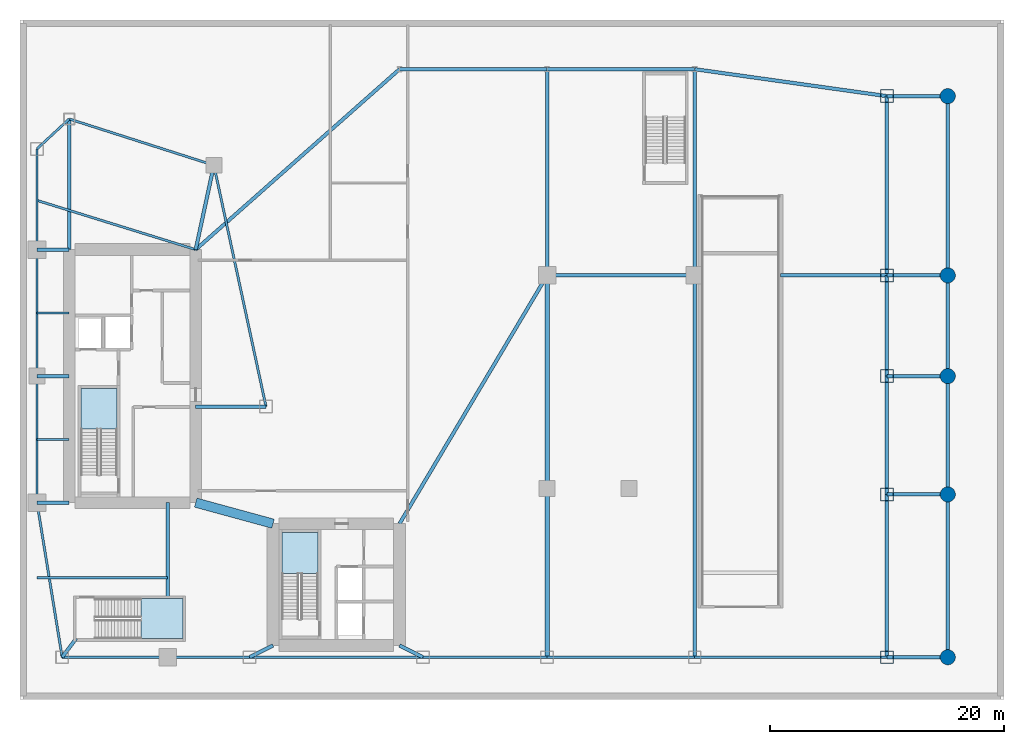
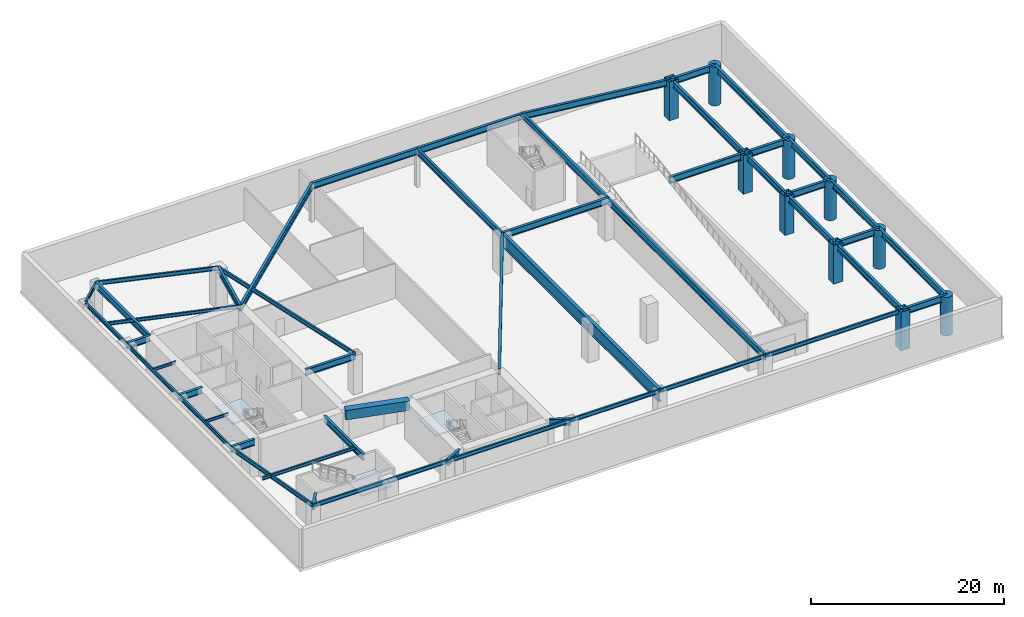
# One storey, part 3 of 13: 52 beams, 10 columns, 3 slabs, 3 elements without a shape of their own.
"""IFC4 building model written with IfcOpenShell, lengths in metres."""

import ifcopenshell
import ifcopenshell.guid

model = None  # the IFC model being written
_history = None  # IfcOwnerHistory: only IFC2X3 demands one
_inside = {}  # id of a spatial element -> (the spatial element, [elements in it])
_under = {}  # id of a project, library or spatial element -> (it, [spatial elements below it])
_declared = {}  # id of a project -> (the project, [libraries it declares])
_typed = {}  # id of a type object -> (the type object, [elements of that type])
_made_of = {}  # id of a material, layer set ... -> (it, [elements and type objects made of it])


def new_model(schema):
    """Start an empty IFC model of exactly this schema.

    Asked for "IFC4X3", IfcOpenShell would pick the latest addendum, in which some entities
    have other attributes; the version numbers below select the first issue.
    IFC2X3 requires an IfcOwnerHistory on every rooted entity: one is made here for all.
    """
    global model, _history
    if schema == "IFC4X3":
        model = ifcopenshell.file(schema_version=(4, 3, 0, 0))
    else:
        model = ifcopenshell.file(schema=schema)
    _inside.clear()
    _under.clear()
    _declared.clear()
    _typed.clear()
    _made_of.clear()
    _history = None
    if model.schema == "IFC2X3":
        org = make("IfcOrganization", Name="unknown")
        user = make(
            "IfcPersonAndOrganization",
            ThePerson=make("IfcPerson", FamilyName="unknown"),
            TheOrganization=org,
        )
        app = make(
            "IfcApplication",
            ApplicationDeveloper=org,
            Version="unknown",
            ApplicationFullName="unknown",
            ApplicationIdentifier="unknown",
        )
        _history = make(
            "IfcOwnerHistory",
            OwningUser=user,
            OwningApplication=app,
            ChangeAction="ADDED",
            CreationDate=0,
        )
    return model


def make(cls, **values):
    """One entity of the class cls with the attributes given. An attribute that is None is left unset."""
    return model.create_entity(
        cls, **{name: value for name, value in values.items() if value is not None}
    )


def rooted(cls, **values):
    """An entity with a GlobalId (a new one), such as an element, a storey or a relation."""
    return make(cls, GlobalId=ifcopenshell.guid.new(), OwnerHistory=_history, **values)


def si_unit(unit_type, name, prefix=None):
    """IfcSIUnit, for example si_unit("LENGTHUNIT", "METRE", prefix="MILLI")."""
    return make("IfcSIUnit", UnitType=unit_type, Prefix=prefix, Name=name)


def assignment(units):
    """IfcUnitAssignment: the units of a project."""
    return None if units is None else make("IfcUnitAssignment", Units=units)


def point(xyz):
    """IfcCartesianPoint."""
    return None if xyz is None else make("IfcCartesianPoint", Coordinates=xyz)


def direction(xyz):
    """IfcDirection."""
    return None if xyz is None else make("IfcDirection", DirectionRatios=xyz)


def frame(location, z_axis=None, x_axis=None):
    """IfcAxis2Placement3D, a coordinate frame: its origin and axes. An axis left out is left unset."""
    return make(
        "IfcAxis2Placement3D",
        Location=point(location),
        Axis=direction(z_axis),
        RefDirection=direction(x_axis),
    )


def frame_2d(location, x_axis=None):
    """IfcAxis2Placement2D, a coordinate frame in the plane: its origin and x axis."""
    return make(
        "IfcAxis2Placement2D", Location=point(location), RefDirection=direction(x_axis)
    )


def origin():
    """The frame at (0, 0, 0) with its axes left unset."""
    return frame((0.0, 0.0, 0.0))


def origin_2d():
    """The frame at (0, 0) in the plane with its x axis left unset."""
    return frame_2d((0.0, 0.0))


def place(relative_to, where):
    """IfcLocalPlacement: puts the frame where relative to a parent placement (None: the world)."""
    return make(
        "IfcLocalPlacement", PlacementRelTo=relative_to, RelativePlacement=where
    )


def context(
    kind, dimensions, precision=None, world=None, true_north=None, identifier=None
):
    """IfcGeometricRepresentationContext, for example the 3D "Model" context."""
    return make(
        "IfcGeometricRepresentationContext",
        ContextIdentifier=identifier,
        ContextType=kind,
        CoordinateSpaceDimension=dimensions,
        Precision=precision,
        WorldCoordinateSystem=world,
        TrueNorth=true_north,
    )


def subcontext(parent, identifier, kind, view, scale=None):
    """IfcGeometricRepresentationSubContext, for example "Body" below "Model"."""
    return make(
        "IfcGeometricRepresentationSubContext",
        ContextIdentifier=identifier,
        ContextType=kind,
        ParentContext=parent,
        TargetScale=scale,
        TargetView=view,
    )


def project(units=None, contexts=None):
    """IfcProject with its units and contexts."""
    return rooted(
        "IfcProject",
        Name="project",
        RepresentationContexts=contexts,
        UnitsInContext=assignment(units),
    )


def spatial(cls, under=None, at=None, **own):
    """A site, building, storey or space (cls), placed at a placement, below another one or the project."""
    s = rooted(cls, ObjectPlacement=at, **own)
    if under is not None:
        _under.setdefault(under.id(), (under, []))[1].append(s)
    return s


def polyline(points):
    """IfcPolyline through the points."""
    return make("IfcPolyline", Points=[point(p) for p in points])


def profile(cls, at=None, kind="AREA", **sizes):
    """A parametric profile (cls). Its sizes go by their IFC names, for example OverallWidth=200.0."""
    return make(cls, ProfileType=kind, Position=at, **sizes)


def rectangle(**sizes):
    """IfcRectangleProfileDef."""
    return profile("IfcRectangleProfileDef", **sizes)


def hollow_rectangle(**sizes):
    """IfcRectangleHollowProfileDef."""
    return profile("IfcRectangleHollowProfileDef", **sizes)


def circle(**sizes):
    """IfcCircleProfileDef."""
    return profile("IfcCircleProfileDef", **sizes)


def i_section(**sizes):
    """IfcIShapeProfileDef."""
    return profile("IfcIShapeProfileDef", **sizes)


def outline(outer, holes=None, kind="AREA"):
    """IfcArbitraryClosedProfileDef: a profile drawn as a closed curve; with holes, ...WithVoids."""
    if holes is None:
        return make("IfcArbitraryClosedProfileDef", ProfileType=kind, OuterCurve=outer)
    return make(
        "IfcArbitraryProfileDefWithVoids",
        ProfileType=kind,
        OuterCurve=outer,
        InnerCurves=holes,
    )


def extrude(swept, where, along, depth):
    """IfcExtrudedAreaSolid: the profile swept, set in the frame where, extruded along a direction by depth."""
    return make(
        "IfcExtrudedAreaSolid",
        SweptArea=swept,
        Position=where,
        ExtrudedDirection=direction(along),
        Depth=depth,
    )


def shape(context_of_items, identifier, shape_type, items):
    """IfcShapeRepresentation: the items that make up one representation, for example the "Body"."""
    return make(
        "IfcShapeRepresentation",
        ContextOfItems=context_of_items,
        RepresentationIdentifier=identifier,
        RepresentationType=shape_type,
        Items=items,
    )


def material(Name=None, Category=None):
    """IfcMaterial."""
    return make("IfcMaterial", Name=Name, Category=Category)


def layer(
    of_material, thickness, ventilated=None, Name=None, Category=None, Priority=None
):
    """IfcMaterialLayer: one layer of a wall or slab, of a material (None: an air gap)."""
    return make(
        "IfcMaterialLayer",
        Material=of_material,
        LayerThickness=thickness,
        IsVentilated=ventilated,
        Name=Name,
        Category=Category,
        Priority=Priority,
    )


def layer_set(layers, Name=None):
    """IfcMaterialLayerSet."""
    return make("IfcMaterialLayerSet", MaterialLayers=layers, LayerSetName=Name)


def material_profile(
    of_material, cross_section, Name=None, Category=None, Priority=None
):
    """IfcMaterialProfile: a cross section and its material."""
    return make(
        "IfcMaterialProfile",
        Name=Name,
        Material=of_material,
        Profile=cross_section,
        Priority=Priority,
        Category=Category,
    )


def profile_set(profiles, Name=None, composite=None):
    """IfcMaterialProfileSet."""
    return make(
        "IfcMaterialProfileSet",
        Name=Name,
        MaterialProfiles=profiles,
        CompositeProfile=composite,
    )


def made_of(thing, what):
    """Note that an element or type object is made of a material, layer set ...; save() writes the relation."""
    if what is not None:
        _made_of.setdefault(what.id(), (what, []))[1].append(thing)
    return thing


def type_object(cls, material=None, **own):
    """A type object (cls), such as IfcWallType, which elements share."""
    return made_of(rooted(cls, **own), material)


def element(
    cls,
    number,
    at=None,
    inside=None,
    cuts=None,
    type_object=None,
    material=None,
    context=None,
    identifier="Body",
    shape_type=None,
    held_by="IfcProductDefinitionShape",
    body=None,
    shapes=None,
    **own,
):
    """One element of the class cls, such as IfcWall. Its Tag is "e" and its number.

    at: its placement. inside: the storey or other place that contains it. cuts: it is an
    opening in that element (IfcRelVoidsElement). A single representation is given by context,
    identifier, shape_type and body (its items); several are given by shapes. held_by: the class
    of the entity that holds the representations. save() writes the other relations.
    """
    e = rooted(cls, Tag="e%d" % number, ObjectPlacement=at, **own)
    if body is not None:
        shapes = [shape(context, identifier, shape_type, body)]
    if shapes is not None:
        e.Representation = make(held_by, Representations=shapes)
    if inside is not None:
        _inside.setdefault(inside.id(), (inside, []))[1].append(e)
    if cuts is not None:
        rooted(
            "IfcRelVoidsElement", RelatingBuildingElement=cuts, RelatedOpeningElement=e
        )
    if type_object is not None:
        _typed.setdefault(type_object.id(), (type_object, []))[1].append(e)
    return made_of(e, material)


def aggregate(whole, parts):
    """IfcRelAggregates: a whole, such as a stair, and the parts it consists of."""
    return rooted("IfcRelAggregates", RelatingObject=whole, RelatedObjects=parts)


def save(model, path):
    """Write the relations noted so far, then the file.

    IfcRelAggregates (storeys below a building ...), IfcRelContainedInSpatialStructure (elements
    in a storey), IfcRelDefinesByType, IfcRelAssociatesMaterial and IfcRelDeclares: one each for
    every whole, place, type object, material and project.
    """
    for whole, parts in _under.values():
        aggregate(whole, parts)
    for where, things in _inside.values():
        rooted(
            "IfcRelContainedInSpatialStructure",
            RelatedElements=things,
            RelatingStructure=where,
        )
    for kind, things in _typed.values():
        rooted("IfcRelDefinesByType", RelatedObjects=things, RelatingType=kind)
    for what, things in _made_of.values():
        rooted("IfcRelAssociatesMaterial", RelatedObjects=things, RelatingMaterial=what)
    for by, libraries in _declared.values():
        rooted("IfcRelDeclares", RelatingContext=by, RelatedDefinitions=libraries)
    model.write(path)


model = new_model("IFC4")

# Units and contexts
model_context = context("Model", 3, precision=1e-05, world=origin(), true_north=direction((0.0, 1.0)))
body_context = subcontext(model_context, "Body", "Model", "MODEL_VIEW")
ifc_project = project(units=[si_unit("LENGTHUNIT", "METRE"), si_unit("AREAUNIT", "SQUARE_METRE"), si_unit("VOLUMEUNIT", "CUBIC_METRE"), si_unit("PLANEANGLEUNIT", "RADIAN"), si_unit("MASSUNIT", "GRAM", prefix="KILO")], contexts=[model_context])

# Site, building, storey
site_placement = place(None, origin())
site = spatial("IfcSite", under=ifc_project, at=site_placement, CompositionType="ELEMENT")
building_placement = place(site_placement, origin())
building = spatial("IfcBuilding", under=site, at=building_placement, Name="Calvorn Quay Hotel", CompositionType="ELEMENT")
storey_placement = place(building_placement, frame((0.0, 0.0, -5.199951171875)))
storey = spatial("IfcBuildingStorey", under=building, at=storey_placement, Name="B1", CompositionType="ELEMENT", Elevation=-5.199951171875)

# Columns
ifc_material_1 = material(Name="Concrete C60", Category="concrete")
ifc_material_profile_1 = material_profile(ifc_material_1, circle(Radius=0.64990234375, at=origin_2d()), Name="RCD1300")
ifc_profile_set_1 = profile_set([ifc_material_profile_1], Name="Concrete C60")
column_type_1 = type_object("IfcColumnType", Name="COL-RC-D1300", PredefinedType="COLUMN", material=ifc_profile_set_1)
for number, where, z_axis, x_axis, name in (
    (1, (79.199951171875, 3.60009765625, 0.0), (0.0, 0.0, 1.0), (1.0, 0.0, 0.0), "Column C-PQ1 (B1)"),
    (2, (79.199951171875, 17.5, 0.0), (0.0, 0.0, 1.0), (1.0, 0.0, 0.0), "Column C-PQ2 (B1)"),
    (3, (79.199951171875, 27.60009765625, 0.0), (0.0, 0.0, 1.0), (1.0, 0.0, 0.0), "Column C-PQ3 (B1)"),
    (4, (79.199951171875, 36.199951171875, 0.0), (0.0, 0.0, 1.0), (1.0, 0.0, 0.0), "Column C-PQ4 (B1)"),
    (5, (79.199951171875, 51.5, 0.0), (0.0, 0.0, 1.0), (1.0, 0.0, 0.0), "Column C-PQ5 (B1)"),
):
    element("IfcColumn", number, at=place(storey_placement, frame(where, z_axis=z_axis, x_axis=x_axis)), inside=storey, type_object=column_type_1, Name=name, PredefinedType="COLUMN", context=body_context, shape_type="SweptSolid", body=[
        extrude(circle(Radius=0.64990234375, at=origin_2d()), origin(), (0.0, 0.0, 1.0), 4.8798828125),
    ])
ifc_material_2 = material(Name="Steel Q420GJC", Category="steel")
ifc_material_profile_2 = material_profile(ifc_material_2, hollow_rectangle(XDim=1.10009765625, YDim=1.10009765625, WallThickness=0.044921875, at=origin_2d()), Name="BOX1100x1100x45")
ifc_profile_set_2 = profile_set([ifc_material_profile_2], Name="Steel Q420GJC")
column_type_2 = type_object("IfcColumnType", Name="COL-STL-MEGA1", PredefinedType="COLUMN", material=ifc_profile_set_2)
for number, where, z_axis, x_axis, name in (
    (6, (74.0, 3.60009765625, 0.0), (0.0, 0.0, 1.0), (1.0, 0.0, 0.0), "Column C-PE1 (B1)"),
    (7, (74.0, 17.5, 0.0), (0.0, 0.0, 1.0), (1.0, 0.0, 0.0), "Column C-PE2 (B1)"),
    (8, (74.0, 27.60009765625, 0.0), (0.0, 0.0, 1.0), (1.0, 0.0, 0.0), "Column C-PE3 (B1)"),
    (9, (74.0, 36.199951171875, 0.0), (0.0, 0.0, 1.0), (1.0, 0.0, 0.0), "Column C-PE4 (B1)"),
    (10, (74.0, 51.5, 0.0), (0.0, 0.0, 1.0), (1.0, 0.0, 0.0), "Column C-PE5 (B1)"),
):
    element("IfcColumn", number, at=place(storey_placement, frame(where, z_axis=z_axis, x_axis=x_axis)), inside=storey, type_object=column_type_2, Name=name, PredefinedType="COLUMN", context=body_context, shape_type="SweptSolid", body=[
        extrude(hollow_rectangle(XDim=1.10009765625, YDim=1.10009765625, WallThickness=0.044921875, at=origin_2d()), origin(), (0.0, 0.0, 1.0), 4.8798828125),
    ])

# Beams
ifc_material_3 = material(Name="Steel Q390GJC", Category="steel")
ifc_material_profile_3 = material_profile(ifc_material_3, i_section(OverallWidth=0.300048828125, OverallDepth=0.800048828125, WebThickness=0.013916015625, FlangeThickness=0.02587890625, FilletRadius=0.02392578125, at=origin_2d()), Name="HN800x300x14x26")
ifc_profile_set_3 = profile_set([ifc_material_profile_3], Name="Steel Q390GJC")
beam_type_1 = type_object("IfcBeamType", Name="BM-GIRD-POD", PredefinedType="BEAM", material=ifc_profile_set_3)
beam_1_placement = place(storey_placement, frame((3.60009765625, 3.60009765625, 4.47998046875), z_axis=(0.600019532502, 0.799985350251, 0.0), x_axis=(-0.799985350251, 0.600019532502, 0.0)))
element("IfcBeam", 11, at=beam_1_placement, inside=storey, type_object=beam_type_1, Name="Beam BG-B1-W0", PredefinedType="BEAM", context=body_context, shape_type="SweptSolid", body=[
    extrude(i_section(OverallWidth=0.300048828125, OverallDepth=0.800048828125, WebThickness=0.013916015625, FlangeThickness=0.02587890625, FilletRadius=0.02392578125, at=origin_2d()), origin(), (0.0, 0.0, 1.0), 1.999755859375),
])
for number, where, z_axis, x_axis, name in (
    (12, (1.449951171875, 16.800048828125, 4.47998046875), (1.0, 0.0, 0.0), (0.0, 1.0, 0.0), "Beam BG-B1-W1"),
    (13, (1.449951171875, 27.60009765625, 4.47998046875), (1.0, 0.0, 0.0), (0.0, 1.0, 0.0), "Beam BG-B1-W2"),
    (14, (1.449951171875, 38.39990234375, 4.47998046875), (1.0, 0.0, 0.0), (0.0, 1.0, 0.0), "Beam BG-B1-W3"),
):
    element("IfcBeam", number, at=place(storey_placement, frame(where, z_axis=z_axis, x_axis=x_axis)), inside=storey, type_object=beam_type_1, Name=name, PredefinedType="BEAM", context=body_context, shape_type="SweptSolid", body=[
        extrude(i_section(OverallWidth=0.300048828125, OverallDepth=0.800048828125, WebThickness=0.013916015625, FlangeThickness=0.02587890625, FilletRadius=0.02392578125, at=origin_2d()), origin(), (0.0, 0.0, 1.0), 2.75),
    ])
beam_2_placement = place(storey_placement, frame((4.199951171875, 49.550048828125, 4.47998046875), z_axis=(0.0, -1.0, 0.0), x_axis=(1.0, 0.0, 0.0)))
element("IfcBeam", 15, at=beam_2_placement, inside=storey, type_object=beam_type_1, Name="Beam BG-B1-W5", PredefinedType="BEAM", context=body_context, shape_type="SweptSolid", body=[
    extrude(i_section(OverallWidth=0.300048828125, OverallDepth=0.800048828125, WebThickness=0.013916015625, FlangeThickness=0.02587890625, FilletRadius=0.02392578125, at=origin_2d()), origin(), (0.0, 0.0, 1.0), 11.150146484375),
])
beam_3_placement = place(storey_placement, frame((16.550048828125, 45.60009765625, 4.47998046875), z_axis=(-0.210457140491, -0.97760308511, 0.0), x_axis=(0.97760308511, -0.210457140491, 0.0)))
element("IfcBeam", 16, at=beam_3_placement, inside=storey, type_object=beam_type_1, Name="Beam BG-B1-W6", PredefinedType="BEAM", context=body_context, shape_type="SweptSolid", body=[
    extrude(i_section(OverallWidth=0.300048828125, OverallDepth=0.800048828125, WebThickness=0.013916015625, FlangeThickness=0.02587890625, FilletRadius=0.02392578125, at=origin_2d()), origin(), (0.0, 0.0, 1.0), 7.365234375),
])
beam_4_placement = place(storey_placement, frame((21.0, 25.0, 4.47998046875), z_axis=(-1.0, 0.0, 0.0), x_axis=(0.0, -1.0, 0.0)))
element("IfcBeam", 17, at=beam_4_placement, inside=storey, type_object=beam_type_1, Name="Beam BG-B1-W7", PredefinedType="BEAM", context=body_context, shape_type="SweptSolid", body=[
    extrude(i_section(OverallWidth=0.300048828125, OverallDepth=0.800048828125, WebThickness=0.013916015625, FlangeThickness=0.02587890625, FilletRadius=0.02392578125, at=origin_2d()), origin(), (0.0, 0.0, 1.0), 6.0),
])
beam_5_placement = place(storey_placement, frame((12.60009765625, 8.719970703125, 4.47998046875), z_axis=(0.0, 1.0, 0.0), x_axis=(-1.0, 0.0, 0.0)))
element("IfcBeam", 18, at=beam_5_placement, inside=storey, type_object=beam_type_1, Name="Beam BG-B1-S1", PredefinedType="BEAM", context=body_context, shape_type="SweptSolid", body=[
    extrude(i_section(OverallWidth=0.300048828125, OverallDepth=0.800048828125, WebThickness=0.013916015625, FlangeThickness=0.02587890625, FilletRadius=0.02392578125, at=origin_2d()), origin(), (0.0, 0.0, 1.0), 8.080078125),
])
for number, where, z_axis, x_axis, name in (
    (19, (19.60009765625, 3.60009765625, 4.47998046875), (0.894427191, 0.4472135955, 0.0), (-0.4472135955, 0.894427191, 0.0), "Beam BG-B1-S2"),
    (20, (34.39990234375, 3.60009765625, 4.47998046875), (-0.894427191, 0.4472135955, 0.0), (-0.4472135955, -0.894427191, 0.0), "Beam BG-B1-S3"),
):
    element("IfcBeam", number, at=place(storey_placement, frame(where, z_axis=z_axis, x_axis=x_axis)), inside=storey, type_object=beam_type_1, Name=name, PredefinedType="BEAM", context=body_context, shape_type="SweptSolid", body=[
        extrude(i_section(OverallWidth=0.300048828125, OverallDepth=0.800048828125, WebThickness=0.013916015625, FlangeThickness=0.02587890625, FilletRadius=0.02392578125, at=origin_2d()), origin(), (0.0, 0.0, 1.0), 2.236083984375),
    ])
beam_6_placement = place(storey_placement, frame((57.60009765625, 3.60009765625, 4.47998046875), z_axis=(0.0, 1.0, 0.0), x_axis=(-1.0, 0.0, 0.0)))
element("IfcBeam", 21, at=beam_6_placement, inside=storey, type_object=beam_type_1, Name="Beam BG-B1-C-PN2", PredefinedType="BEAM", context=body_context, shape_type="SweptSolid", body=[
    extrude(i_section(OverallWidth=0.300048828125, OverallDepth=0.800048828125, WebThickness=0.013916015625, FlangeThickness=0.02587890625, FilletRadius=0.02392578125, at=origin_2d()), origin(), (0.0, 0.0, 1.0), 32.599853515625),
])
beam_7_placement = place(storey_placement, frame((74.0, 3.60009765625, 4.47998046875), z_axis=(0.0, 1.0, 0.0), x_axis=(-1.0, 0.0, 0.0)))
element("IfcBeam", 22, at=beam_7_placement, inside=storey, type_object=beam_type_1, Name="Beam BG-B1-PE1", PredefinedType="BEAM", context=body_context, shape_type="SweptSolid", body=[
    extrude(i_section(OverallWidth=0.300048828125, OverallDepth=0.800048828125, WebThickness=0.013916015625, FlangeThickness=0.02587890625, FilletRadius=0.02392578125, at=origin_2d()), origin(), (0.0, 0.0, 1.0), 13.89990234375),
])
beam_8_placement = place(storey_placement, frame((74.0, 17.5, 4.47998046875), z_axis=(0.0, 1.0, 0.0), x_axis=(-1.0, 0.0, 0.0)))
element("IfcBeam", 23, at=beam_8_placement, inside=storey, type_object=beam_type_1, Name="Beam BG-B1-PE2", PredefinedType="BEAM", context=body_context, shape_type="SweptSolid", body=[
    extrude(i_section(OverallWidth=0.300048828125, OverallDepth=0.800048828125, WebThickness=0.013916015625, FlangeThickness=0.02587890625, FilletRadius=0.02392578125, at=origin_2d()), origin(), (0.0, 0.0, 1.0), 10.10009765625),
])
beam_9_placement = place(storey_placement, frame((74.0, 27.60009765625, 4.47998046875), z_axis=(0.0, 1.0, 0.0), x_axis=(-1.0, 0.0, 0.0)))
element("IfcBeam", 24, at=beam_9_placement, inside=storey, type_object=beam_type_1, Name="Beam BG-B1-PE3", PredefinedType="BEAM", context=body_context, shape_type="SweptSolid", body=[
    extrude(i_section(OverallWidth=0.300048828125, OverallDepth=0.800048828125, WebThickness=0.013916015625, FlangeThickness=0.02587890625, FilletRadius=0.02392578125, at=origin_2d()), origin(), (0.0, 0.0, 1.0), 8.599853515625),
])
beam_10_placement = place(storey_placement, frame((74.0, 36.199951171875, 4.47998046875), z_axis=(0.0, 1.0, 0.0), x_axis=(-1.0, 0.0, 0.0)))
element("IfcBeam", 25, at=beam_10_placement, inside=storey, type_object=beam_type_1, Name="Beam BG-B1-PE4", PredefinedType="BEAM", context=body_context, shape_type="SweptSolid", body=[
    extrude(i_section(OverallWidth=0.300048828125, OverallDepth=0.800048828125, WebThickness=0.013916015625, FlangeThickness=0.02587890625, FilletRadius=0.02392578125, at=origin_2d()), origin(), (0.0, 0.0, 1.0), 15.300048828125),
])
beam_11_placement = place(storey_placement, frame((32.39990234375, 15.0, 4.47998046875), z_axis=(0.510917247409, 0.859629900771, 0.0), x_axis=(-0.859629900771, 0.510917247409, 0.0)))
element("IfcBeam", 26, at=beam_11_placement, inside=storey, type_object=beam_type_1, Name="Beam BG-B1-PN1", PredefinedType="BEAM", context=body_context, shape_type="SweptSolid", body=[
    extrude(i_section(OverallWidth=0.300048828125, OverallDepth=0.800048828125, WebThickness=0.013916015625, FlangeThickness=0.02587890625, FilletRadius=0.02392578125, at=origin_2d()), origin(), (0.0, 0.0, 1.0), 24.66162109375),
])
beam_12_placement = place(storey_placement, frame((45.0, 36.199951171875, 4.47998046875), z_axis=(1.0, 0.0, 0.0), x_axis=(0.0, 1.0, 0.0)))
element("IfcBeam", 27, at=beam_12_placement, inside=storey, type_object=beam_type_1, Name="Beam BG-B1-PN2", PredefinedType="BEAM", context=body_context, shape_type="SweptSolid", body=[
    extrude(i_section(OverallWidth=0.300048828125, OverallDepth=0.800048828125, WebThickness=0.013916015625, FlangeThickness=0.02587890625, FilletRadius=0.02392578125, at=origin_2d()), origin(), (0.0, 0.0, 1.0), 12.60009765625),
])
beam_13_placement = place(storey_placement, frame((64.919921875, 36.199951171875, 4.47998046875), z_axis=(1.0, 0.0, 0.0), x_axis=(0.0, 1.0, 0.0)))
element("IfcBeam", 28, at=beam_13_placement, inside=storey, type_object=beam_type_1, Name="Beam BG-B1-PN3", PredefinedType="BEAM", context=body_context, shape_type="SweptSolid", body=[
    extrude(i_section(OverallWidth=0.300048828125, OverallDepth=0.800048828125, WebThickness=0.013916015625, FlangeThickness=0.02587890625, FilletRadius=0.02392578125, at=origin_2d()), origin(), (0.0, 0.0, 1.0), 9.080078125),
])
beam_14_placement = place(storey_placement, frame((15.0, 38.39990234375, 4.47998046875), z_axis=(0.748827276571, 0.662765199647, 0.0), x_axis=(-0.662765199647, 0.748827276571, 0.0)))
element("IfcBeam", 29, at=beam_14_placement, inside=storey, type_object=beam_type_1, Name="Beam BG-B1-PN4", PredefinedType="BEAM", context=body_context, shape_type="SweptSolid", body=[
    extrude(i_section(OverallWidth=0.300048828125, OverallDepth=0.800048828125, WebThickness=0.013916015625, FlangeThickness=0.02587890625, FilletRadius=0.02392578125, at=origin_2d()), origin(), (0.0, 0.0, 1.0), 23.236083984375),
])
for number, where, z_axis, x_axis, name in (
    (30, (32.39990234375, 53.800048828125, 4.47998046875), (1.0, 0.0, 0.0), (0.0, 1.0, 0.0), "Beam BG-B1-PN5"),
    (31, (45.0, 53.800048828125, 4.47998046875), (1.0, 0.0, 0.0), (0.0, 1.0, 0.0), "Beam BG-B1-PN6"),
):
    element("IfcBeam", number, at=place(storey_placement, frame(where, z_axis=z_axis, x_axis=x_axis)), inside=storey, type_object=beam_type_1, Name=name, PredefinedType="BEAM", context=body_context, shape_type="SweptSolid", body=[
        extrude(i_section(OverallWidth=0.300048828125, OverallDepth=0.800048828125, WebThickness=0.013916015625, FlangeThickness=0.02587890625, FilletRadius=0.02392578125, at=origin_2d()), origin(), (0.0, 0.0, 1.0), 12.60009765625),
    ])
beam_15_placement = place(storey_placement, frame((57.60009765625, 53.800048828125, 4.47998046875), z_axis=(0.990308033684, -0.138888438761, 0.0), x_axis=(0.138888438761, 0.990308033684, 0.0)))
element("IfcBeam", 32, at=beam_15_placement, inside=storey, type_object=beam_type_1, Name="Beam BG-B1-PN7", PredefinedType="BEAM", context=body_context, shape_type="SweptSolid", body=[
    extrude(i_section(OverallWidth=0.300048828125, OverallDepth=0.800048828125, WebThickness=0.013916015625, FlangeThickness=0.02587890625, FilletRadius=0.02392578125, at=origin_2d()), origin(), (0.0, 0.0, 1.0), 16.560302734375),
])
for number, where, z_axis, x_axis, name in (
    (33, (45.0, 36.199951171875, 4.47998046875), (0.0, 1.0, 0.0), (-1.0, 0.0, 0.0), "Beam BG-B1-PN8"),
    (34, (57.60009765625, 36.199951171875, 4.47998046875), (0.0, 1.0, 0.0), (-1.0, 0.0, 0.0), "Beam BG-B1-PN9"),
):
    element("IfcBeam", number, at=place(storey_placement, frame(where, z_axis=z_axis, x_axis=x_axis)), inside=storey, type_object=beam_type_1, Name=name, PredefinedType="BEAM", context=body_context, shape_type="SweptSolid", body=[
        extrude(i_section(OverallWidth=0.300048828125, OverallDepth=0.800048828125, WebThickness=0.013916015625, FlangeThickness=0.02587890625, FilletRadius=0.02392578125, at=origin_2d()), origin(), (0.0, 0.0, 1.0), 17.60009765625),
    ])
beam_16_placement = place(storey_placement, frame((79.199951171875, 3.60009765625, 4.47998046875), z_axis=(0.0, 1.0, 0.0), x_axis=(-1.0, 0.0, 0.0)))
element("IfcBeam", 35, at=beam_16_placement, inside=storey, type_object=beam_type_1, Name="Beam BSP-B1-Q1", PredefinedType="BEAM", context=body_context, shape_type="SweptSolid", body=[
    extrude(i_section(OverallWidth=0.300048828125, OverallDepth=0.800048828125, WebThickness=0.013916015625, FlangeThickness=0.02587890625, FilletRadius=0.02392578125, at=origin_2d()), origin(), (0.0, 0.0, 1.0), 13.89990234375),
])
beam_17_placement = place(storey_placement, frame((79.199951171875, 17.5, 4.47998046875), z_axis=(0.0, 1.0, 0.0), x_axis=(-1.0, 0.0, 0.0)))
element("IfcBeam", 36, at=beam_17_placement, inside=storey, type_object=beam_type_1, Name="Beam BSP-B1-Q2", PredefinedType="BEAM", context=body_context, shape_type="SweptSolid", body=[
    extrude(i_section(OverallWidth=0.300048828125, OverallDepth=0.800048828125, WebThickness=0.013916015625, FlangeThickness=0.02587890625, FilletRadius=0.02392578125, at=origin_2d()), origin(), (0.0, 0.0, 1.0), 10.10009765625),
])
beam_18_placement = place(storey_placement, frame((79.199951171875, 27.60009765625, 4.47998046875), z_axis=(0.0, 1.0, 0.0), x_axis=(-1.0, 0.0, 0.0)))
element("IfcBeam", 37, at=beam_18_placement, inside=storey, type_object=beam_type_1, Name="Beam BSP-B1-Q3", PredefinedType="BEAM", context=body_context, shape_type="SweptSolid", body=[
    extrude(i_section(OverallWidth=0.300048828125, OverallDepth=0.800048828125, WebThickness=0.013916015625, FlangeThickness=0.02587890625, FilletRadius=0.02392578125, at=origin_2d()), origin(), (0.0, 0.0, 1.0), 8.599853515625),
])
beam_19_placement = place(storey_placement, frame((79.199951171875, 36.199951171875, 4.47998046875), z_axis=(0.0, 1.0, 0.0), x_axis=(-1.0, 0.0, 0.0)))
element("IfcBeam", 38, at=beam_19_placement, inside=storey, type_object=beam_type_1, Name="Beam BSP-B1-Q4", PredefinedType="BEAM", context=body_context, shape_type="SweptSolid", body=[
    extrude(i_section(OverallWidth=0.300048828125, OverallDepth=0.800048828125, WebThickness=0.013916015625, FlangeThickness=0.02587890625, FilletRadius=0.02392578125, at=origin_2d()), origin(), (0.0, 0.0, 1.0), 15.300048828125),
])
for number, where, z_axis, x_axis, name in (
    (39, (74.0, 3.60009765625, 4.47998046875), (1.0, 0.0, 0.0), (0.0, 1.0, 0.0), "Beam BG-B1-EQ1"),
    (40, (74.0, 17.5, 4.47998046875), (1.0, 0.0, 0.0), (0.0, 1.0, 0.0), "Beam BG-B1-EQ2"),
    (41, (74.0, 27.60009765625, 4.47998046875), (1.0, 0.0, 0.0), (0.0, 1.0, 0.0), "Beam BG-B1-EQ3"),
    (42, (74.0, 36.199951171875, 4.47998046875), (1.0, 0.0, 0.0), (0.0, 1.0, 0.0), "Beam BG-B1-EQ4"),
    (43, (74.0, 51.5, 4.47998046875), (1.0, 0.0, 0.0), (0.0, 1.0, 0.0), "Beam BG-B1-EQ5"),
):
    element("IfcBeam", number, at=place(storey_placement, frame(where, z_axis=z_axis, x_axis=x_axis)), inside=storey, type_object=beam_type_1, Name=name, PredefinedType="BEAM", context=body_context, shape_type="SweptSolid", body=[
        extrude(i_section(OverallWidth=0.300048828125, OverallDepth=0.800048828125, WebThickness=0.013916015625, FlangeThickness=0.02587890625, FilletRadius=0.02392578125, at=origin_2d()), origin(), (0.0, 0.0, 1.0), 5.199951171875),
    ])
ifc_material_4 = material(Name="Steel Q355B", Category="steel")
ifc_material_profile_4 = material_profile(ifc_material_4, i_section(OverallWidth=0.175048828125, OverallDepth=0.35009765625, WebThickness=0.007080078125, FlangeThickness=0.010986328125, FilletRadius=0.013916015625, at=origin_2d()), Name="HN350x175x7x11")
ifc_profile_set_4 = profile_set([ifc_material_profile_4], Name="Steel Q355B")
beam_type_2 = type_object("IfcBeamType", Name="BM-JOIST-SEC", PredefinedType="JOIST", material=ifc_profile_set_4)
for number, where, z_axis, x_axis, name in (
    (44, (1.449951171875, 22.199951171875, 4.704833984375), (1.0, 0.0, 0.0), (0.0, 1.0, 0.0), "Beam BJ-B1-W3"),
    (45, (1.449951171875, 33.0, 4.704833984375), (1.0, 0.0, 0.0), (0.0, 1.0, 0.0), "Beam BJ-B1-W4"),
):
    element("IfcBeam", number, at=place(storey_placement, frame(where, z_axis=z_axis, x_axis=x_axis)), inside=storey, type_object=beam_type_2, Name=name, PredefinedType="JOIST", context=body_context, shape_type="SweptSolid", body=[
        extrude(i_section(OverallWidth=0.175048828125, OverallDepth=0.35009765625, WebThickness=0.007080078125, FlangeThickness=0.010986328125, FilletRadius=0.013916015625, at=origin_2d()), origin(), (0.0, 0.0, 1.0), 2.75),
    ])
ifc_material_5 = material(Name="Steel Q355B", Category="steel")
ifc_material_profile_5 = material_profile(ifc_material_5, i_section(OverallWidth=0.199951171875, OverallDepth=0.39990234375, WebThickness=0.008056640625, FlangeThickness=0.012939453125, FilletRadius=0.01611328125, at=origin_2d()), Name="HN400x200x8x13")
ifc_profile_set_5 = profile_set([ifc_material_profile_5], Name="Steel Q355B")
beam_type_3 = type_object("IfcBeamType", Name="BM-JOIST-TYP", PredefinedType="JOIST", material=ifc_profile_set_5)
beam_20_placement = place(storey_placement, frame((1.449951171875, 10.39990234375, 4.679931640625), z_axis=(1.0, 0.0, 0.0), x_axis=(0.0, 1.0, 0.0)))
element("IfcBeam", 46, at=beam_20_placement, inside=storey, type_object=beam_type_3, Name="Beam BJ-B1-W1", PredefinedType="JOIST", context=body_context, shape_type="SweptSolid", body=[
    extrude(i_section(OverallWidth=0.199951171875, OverallDepth=0.39990234375, WebThickness=0.008056640625, FlangeThickness=0.012939453125, FilletRadius=0.01611328125, at=origin_2d()), origin(), (0.0, 0.0, 1.0), 11.150146484375),
])
beam_21_placement = place(storey_placement, frame((1.449951171875, 42.60009765625, 4.679931640625), z_axis=(0.955163702122, -0.296078202759, 0.0), x_axis=(0.296078202759, 0.955163702122, 0.0)))
element("IfcBeam", 47, at=beam_21_placement, inside=storey, type_object=beam_type_3, Name="Beam BJ-B1-W2", PredefinedType="JOIST", context=body_context, shape_type="SweptSolid", body=[
    extrude(i_section(OverallWidth=0.199951171875, OverallDepth=0.39990234375, WebThickness=0.008056640625, FlangeThickness=0.012939453125, FilletRadius=0.01611328125, at=origin_2d()), origin(), (0.0, 0.0, 1.0), 14.18603515625),
])
ifc_material_6 = material(Name="Steel Q390GJC", Category="steel")
ifc_material_profile_6 = material_profile(ifc_material_6, i_section(OverallWidth=0.39990234375, OverallDepth=1.60009765625, WebThickness=0.02392578125, FlangeThickness=0.0400390625, at=origin_2d()), Name="HN1600x400x24x40")
ifc_profile_set_6 = profile_set([ifc_material_profile_6], Name="Steel Q390GJC")
beam_type_4 = type_object("IfcBeamType", Name="BM-POD-LONG-1600", PredefinedType="BEAM", material=ifc_profile_set_6)
beam_22_placement = place(storey_placement, frame((45.0, 3.60009765625, 4.079833984375), z_axis=(0.0, 1.0, 0.0), x_axis=(-1.0, 0.0, 0.0)))
element("IfcBeam", 48, at=beam_22_placement, inside=storey, type_object=beam_type_4, Name="Beam BG-B1-C-PN1", PredefinedType="BEAM", context=body_context, shape_type="SweptSolid", body=[
    extrude(i_section(OverallWidth=0.39990234375, OverallDepth=1.60009765625, WebThickness=0.02392578125, FlangeThickness=0.0400390625, at=origin_2d()), origin(), (0.0, 0.0, 1.0), 32.599853515625),
])
ifc_material_7 = material(Name="Concrete C60", Category="concrete")
ifc_material_profile_7 = material_profile(ifc_material_7, rectangle(XDim=0.800048828125, YDim=1.199951171875, at=origin_2d()), Name="RCB800x1200")
ifc_profile_set_7 = profile_set([ifc_material_profile_7], Name="Concrete C60")
beam_type_5 = type_object("IfcBeamType", Name="BM-RC-LINK-800x1200", PredefinedType="BEAM", material=ifc_profile_set_7)
beam_23_placement = place(storey_placement, frame((15.0, 16.800048828125, 4.280029296875), z_axis=(0.964762997686, -0.263120425462, 0.0), x_axis=(0.263120425462, 0.964762997686, 0.0)))
element("IfcBeam", 49, at=beam_23_placement, inside=storey, type_object=beam_type_5, Name="Beam BCL-B1-01", PredefinedType="BEAM", context=body_context, shape_type="SweptSolid", body=[
    extrude(rectangle(XDim=0.800048828125, YDim=1.199951171875, at=origin_2d()), origin(), (0.0, 0.0, 1.0), 6.841064453125),
])
ifc_material_8 = material(Name="Steel Q355B", Category="steel")
ifc_material_profile_8 = material_profile(ifc_material_8, i_section(OverallWidth=0.199951171875, OverallDepth=0.5, WebThickness=0.010009765625, FlangeThickness=0.01611328125, FilletRadius=0.01611328125, at=origin_2d()), Name="HN500x200x10x16")
ifc_profile_set_8 = profile_set([ifc_material_profile_8], Name="Steel Q355B")
beam_type_6 = type_object("IfcBeamType", Name="BM-SPANDREL-Z1", PredefinedType="SPANDREL", material=ifc_profile_set_8)
beam_24_placement = place(storey_placement, frame((3.60009765625, 3.60009765625, 4.6298828125), z_axis=(-0.16077155054, 0.986991645627, 0.0), x_axis=(-0.986991645627, -0.16077155054, 0.0)))
element("IfcBeam", 50, at=beam_24_placement, inside=storey, type_object=beam_type_6, Name="Beam BSP-B1-W1", PredefinedType="SPANDREL", context=body_context, shape_type="SweptSolid", body=[
    extrude(i_section(OverallWidth=0.199951171875, OverallDepth=0.5, WebThickness=0.010009765625, FlangeThickness=0.01611328125, FilletRadius=0.01611328125, at=origin_2d()), origin(), (0.0, 0.0, 1.0), 13.3740234375),
])
beam_25_placement = place(storey_placement, frame((1.449951171875, 16.800048828125, 4.6298828125), z_axis=(0.0, 1.0, 0.0), x_axis=(-1.0, 0.0, 0.0)))
element("IfcBeam", 51, at=beam_25_placement, inside=storey, type_object=beam_type_6, Name="Beam BSP-B1-W2", PredefinedType="SPANDREL", context=body_context, shape_type="SweptSolid", body=[
    extrude(i_section(OverallWidth=0.199951171875, OverallDepth=0.5, WebThickness=0.010009765625, FlangeThickness=0.01611328125, FilletRadius=0.01611328125, at=origin_2d()), origin(), (0.0, 0.0, 1.0), 10.800048828125),
])
beam_26_placement = place(storey_placement, frame((1.449951171875, 27.60009765625, 4.6298828125), z_axis=(0.0, 1.0, 0.0), x_axis=(-1.0, 0.0, 0.0)))
element("IfcBeam", 52, at=beam_26_placement, inside=storey, type_object=beam_type_6, Name="Beam BSP-B1-W3", PredefinedType="SPANDREL", context=body_context, shape_type="SweptSolid", body=[
    extrude(i_section(OverallWidth=0.199951171875, OverallDepth=0.5, WebThickness=0.010009765625, FlangeThickness=0.01611328125, FilletRadius=0.01611328125, at=origin_2d()), origin(), (0.0, 0.0, 1.0), 10.7998046875),
])
beam_27_placement = place(storey_placement, frame((1.449951171875, 38.39990234375, 4.6298828125), z_axis=(0.0, 1.0, 0.0), x_axis=(-1.0, 0.0, 0.0)))
element("IfcBeam", 53, at=beam_27_placement, inside=storey, type_object=beam_type_6, Name="Beam BSP-B1-W4", PredefinedType="SPANDREL", context=body_context, shape_type="SweptSolid", body=[
    extrude(i_section(OverallWidth=0.199951171875, OverallDepth=0.5, WebThickness=0.010009765625, FlangeThickness=0.01611328125, FilletRadius=0.01611328125, at=origin_2d()), origin(), (0.0, 0.0, 1.0), 8.60009765625),
])
beam_28_placement = place(storey_placement, frame((1.449951171875, 47.0, 4.6298828125), z_axis=(0.733261665538, 0.679946563969, 0.0), x_axis=(-0.679946563969, 0.733261665538, 0.0)))
element("IfcBeam", 54, at=beam_28_placement, inside=storey, type_object=beam_type_6, Name="Beam BSP-B1-W5", PredefinedType="SPANDREL", context=body_context, shape_type="SweptSolid", body=[
    extrude(i_section(OverallWidth=0.199951171875, OverallDepth=0.5, WebThickness=0.010009765625, FlangeThickness=0.01611328125, FilletRadius=0.01611328125, at=origin_2d()), origin(), (0.0, 0.0, 1.0), 3.75048828125),
])
beam_29_placement = place(storey_placement, frame((4.199951171875, 49.550048828125, 4.6298828125), z_axis=(0.952470702374, -0.304630203885, 0.0), x_axis=(0.304630203885, 0.952470702374, 0.0)))
element("IfcBeam", 55, at=beam_29_placement, inside=storey, type_object=beam_type_6, Name="Beam BSP-B1-W6", PredefinedType="SPANDREL", context=body_context, shape_type="SweptSolid", body=[
    extrude(i_section(OverallWidth=0.199951171875, OverallDepth=0.5, WebThickness=0.010009765625, FlangeThickness=0.01611328125, FilletRadius=0.01611328125, at=origin_2d()), origin(), (0.0, 0.0, 1.0), 12.96630859375),
])
beam_30_placement = place(storey_placement, frame((16.550048828125, 45.60009765625, 4.6298828125), z_axis=(0.211145848376, -0.977454567084, 0.0), x_axis=(0.977454567084, 0.211145848376, 0.0)))
element("IfcBeam", 56, at=beam_30_placement, inside=storey, type_object=beam_type_6, Name="Beam BSP-B1-W7", PredefinedType="SPANDREL", context=body_context, shape_type="SweptSolid", body=[
    extrude(i_section(OverallWidth=0.199951171875, OverallDepth=0.5, WebThickness=0.010009765625, FlangeThickness=0.01611328125, FilletRadius=0.01611328125, at=origin_2d()), origin(), (0.0, 0.0, 1.0), 21.0751953125),
])
beam_31_placement = place(storey_placement, frame((3.60009765625, 3.60009765625, 4.6298828125), z_axis=(1.0, 0.0, 0.0), x_axis=(0.0, 1.0, 0.0)))
element("IfcBeam", 57, at=beam_31_placement, inside=storey, type_object=beam_type_6, Name="Beam BSP-B1-S1", PredefinedType="SPANDREL", context=body_context, shape_type="SweptSolid", body=[
    extrude(i_section(OverallWidth=0.199951171875, OverallDepth=0.5, WebThickness=0.010009765625, FlangeThickness=0.01611328125, FilletRadius=0.01611328125, at=origin_2d()), origin(), (0.0, 0.0, 1.0), 9.0),
])
beam_32_placement = place(storey_placement, frame((12.60009765625, 3.60009765625, 4.6298828125), z_axis=(1.0, 0.0, 0.0), x_axis=(0.0, 1.0, 0.0)))
element("IfcBeam", 58, at=beam_32_placement, inside=storey, type_object=beam_type_6, Name="Beam BSP-B1-S2", PredefinedType="SPANDREL", context=body_context, shape_type="SweptSolid", body=[
    extrude(i_section(OverallWidth=0.199951171875, OverallDepth=0.5, WebThickness=0.010009765625, FlangeThickness=0.01611328125, FilletRadius=0.01611328125, at=origin_2d()), origin(), (0.0, 0.0, 1.0), 7.0),
])
beam_33_placement = place(storey_placement, frame((19.60009765625, 3.60009765625, 4.6298828125), z_axis=(1.0, 0.0, 0.0), x_axis=(0.0, 1.0, 0.0)))
element("IfcBeam", 59, at=beam_33_placement, inside=storey, type_object=beam_type_6, Name="Beam BSP-B1-S3", PredefinedType="SPANDREL", context=body_context, shape_type="SweptSolid", body=[
    extrude(i_section(OverallWidth=0.199951171875, OverallDepth=0.5, WebThickness=0.010009765625, FlangeThickness=0.01611328125, FilletRadius=0.01611328125, at=origin_2d()), origin(), (0.0, 0.0, 1.0), 14.7998046875),
])
beam_34_placement = place(storey_placement, frame((34.39990234375, 3.60009765625, 4.6298828125), z_axis=(1.0, 0.0, 0.0), x_axis=(0.0, 1.0, 0.0)))
element("IfcBeam", 60, at=beam_34_placement, inside=storey, type_object=beam_type_6, Name="Beam BSP-B1-S4", PredefinedType="SPANDREL", context=body_context, shape_type="SweptSolid", body=[
    extrude(i_section(OverallWidth=0.199951171875, OverallDepth=0.5, WebThickness=0.010009765625, FlangeThickness=0.01611328125, FilletRadius=0.01611328125, at=origin_2d()), origin(), (0.0, 0.0, 1.0), 10.60009765625),
])
beam_35_placement = place(storey_placement, frame((45.0, 3.60009765625, 4.6298828125), z_axis=(1.0, 0.0, 0.0), x_axis=(0.0, 1.0, 0.0)))
element("IfcBeam", 61, at=beam_35_placement, inside=storey, type_object=beam_type_6, Name="Beam BSP-B1-S5", PredefinedType="SPANDREL", context=body_context, shape_type="SweptSolid", body=[
    extrude(i_section(OverallWidth=0.199951171875, OverallDepth=0.5, WebThickness=0.010009765625, FlangeThickness=0.01611328125, FilletRadius=0.01611328125, at=origin_2d()), origin(), (0.0, 0.0, 1.0), 12.60009765625),
])
beam_36_placement = place(storey_placement, frame((57.60009765625, 3.60009765625, 4.6298828125), z_axis=(1.0, 0.0, 0.0), x_axis=(0.0, 1.0, 0.0)))
element("IfcBeam", 62, at=beam_36_placement, inside=storey, type_object=beam_type_6, Name="Beam BSP-B1-S6", PredefinedType="SPANDREL", context=body_context, shape_type="SweptSolid", body=[
    extrude(i_section(OverallWidth=0.199951171875, OverallDepth=0.5, WebThickness=0.010009765625, FlangeThickness=0.01611328125, FilletRadius=0.01611328125, at=origin_2d()), origin(), (0.0, 0.0, 1.0), 16.39990234375),
])

# Stair, slab
ifc_material_9 = material(Name="Concrete C40", Category="concrete")
stair_type_1 = type_object("IfcStairType", Name="STR-CORE-DOGLEG", PredefinedType="HALF_TURN_STAIR", material=ifc_material_9)
stair_1_placement = place(storey_placement, origin())
stair_1 = element("IfcStair", 63, at=stair_1_placement, inside=storey, type_object=stair_type_1, Name="B1 ST-W", PredefinedType="HALF_TURN_STAIR")
ifc_material_10 = material(Name="Concrete C40", Category="concrete")
ifc_layer = layer(ifc_material_10, 0.199951171875)
ifc_layer_set = layer_set([ifc_layer], Name="SLB-STAIR-LANDING-200")
slab_type = type_object("IfcSlabType", Name="SLB-STAIR-LANDING-200", PredefinedType="LANDING", material=ifc_layer_set)
slab_1_placement = place(storey_placement, frame((0.0, 0.0, 2.39990234375)))
slab_1 = element("IfcSlab", 64, at=slab_1_placement, type_object=slab_type, Name="ST-W landing 1", PredefinedType="LANDING", context=body_context, shape_type="SweptSolid", body=[
    extrude(outline(polyline([(8.300048828125, 23.070068359375), (8.300048828125, 26.550048828125), (5.199951171875, 26.550048828125), (5.199951171875, 23.070068359375), (8.300048828125, 23.070068359375)])), origin(), (0.0, 0.0, 1.0), 0.199951171875),
])
aggregate(stair_1, [slab_1])

stair_2_placement = place(storey_placement, origin())
stair_2 = element("IfcStair", 65, at=stair_2_placement, inside=storey, type_object=stair_type_1, Name="B1 ST-E", PredefinedType="HALF_TURN_STAIR")
slab_2_placement = place(storey_placement, frame((0.0, 0.0, 2.39990234375)))
slab_2 = element("IfcSlab", 66, at=slab_2_placement, type_object=slab_type, Name="ST-E landing 1", PredefinedType="LANDING", context=body_context, shape_type="SweptSolid", body=[
    extrude(outline(polyline([(25.449951171875, 10.77001953125), (25.449951171875, 14.25), (22.35009765625, 14.25), (22.35009765625, 10.77001953125), (25.449951171875, 10.77001953125)])), origin(), (0.0, 0.0, 1.0), 0.199951171875),
])
aggregate(stair_2, [slab_2])

ifc_material_11 = material(Name="Concrete C40", Category="concrete")
stair_type_2 = type_object("IfcStairType", Name="STR-POD-DOGLEG", PredefinedType="TWO_QUARTER_TURN_STAIR", material=ifc_material_11)
stair_3_placement = place(storey_placement, origin())
stair_3 = element("IfcStair", 67, at=stair_3_placement, inside=storey, type_object=stair_type_2, Name="B1 ST-P2", PredefinedType="TWO_QUARTER_TURN_STAIR")
slab_3_placement = place(storey_placement, frame((0.0, 0.0, 2.39990234375)))
slab_3 = element("IfcSlab", 68, at=slab_3_placement, type_object=slab_type, Name="ST-P2 landing 1", PredefinedType="LANDING", context=body_context, shape_type="SweptSolid", body=[
    extrude(outline(polyline([(10.320068359375, 5.199951171875), (13.89990234375, 5.199951171875), (13.89990234375, 8.60009765625), (10.320068359375, 8.60009765625), (10.320068359375, 5.199951171875)])), origin(), (0.0, 0.0, 1.0), 0.199951171875),
])
aggregate(stair_3, [slab_3])

save(model, "model.ifc")
